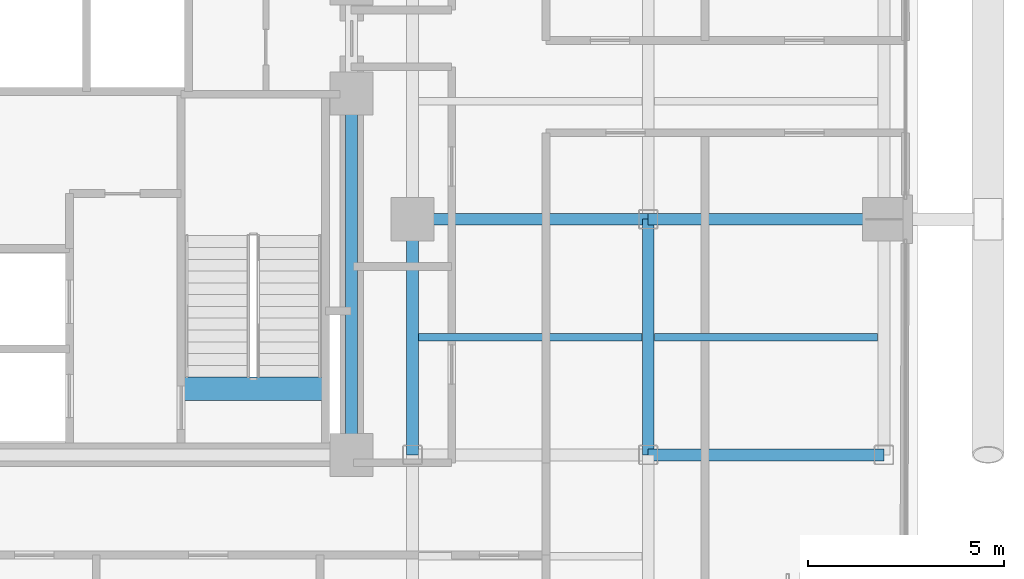
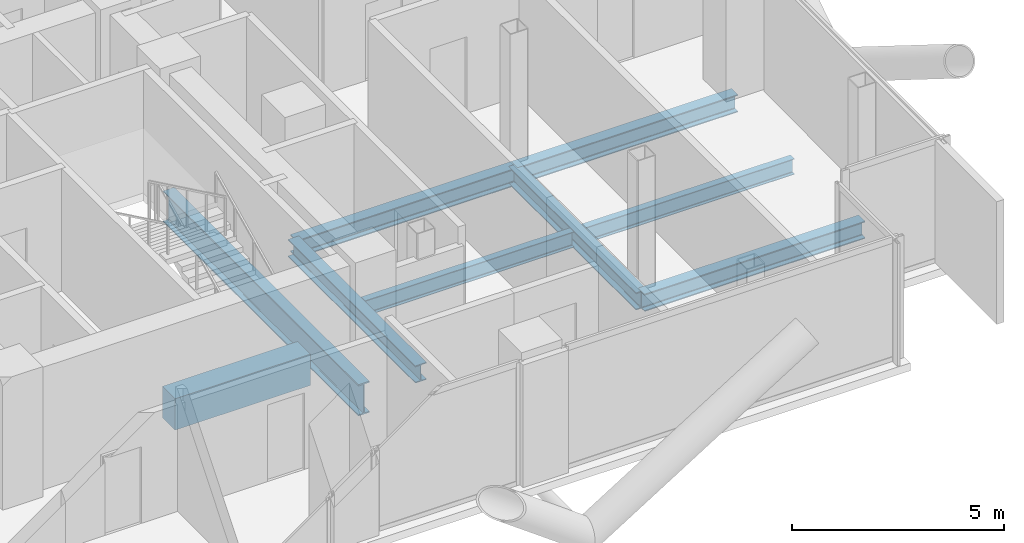
# One storey, part 10 of 24: 9 beams.
"""IFC4 building model written with IfcOpenShell, lengths in metres."""

from ifc_helpers import new_model, si_unit, direction, frame, origin, origin_2d, place, context, subcontext, project, spatial, rectangle, i_section, extrude, material, material_profile, profile_set, type_object, element, save


model = new_model("IFC4")

# Units and contexts
model_context = context("Model", 3, precision=1e-05, world=origin(), true_north=direction((0.0, 1.0)))
body_context = subcontext(model_context, "Body", "Model", "MODEL_VIEW")
ifc_project = project(units=[si_unit("LENGTHUNIT", "METRE"), si_unit("AREAUNIT", "SQUARE_METRE"), si_unit("VOLUMEUNIT", "CUBIC_METRE"), si_unit("PLANEANGLEUNIT", "RADIAN"), si_unit("MASSUNIT", "GRAM", prefix="KILO"), si_unit("THERMODYNAMICTEMPERATUREUNIT", "KELVIN"), si_unit("POWERUNIT", "WATT")], contexts=[model_context])

# Site, building, storey
site_placement = place(None, origin())
site = spatial("IfcSite", under=ifc_project, at=site_placement, CompositionType="ELEMENT")
building_placement = place(site_placement, origin())
building = spatial("IfcBuilding", under=site, at=building_placement, Name="Svarakhadi Broadcast Tower", CompositionType="ELEMENT")
storey_placement = place(building_placement, frame((0.0, 0.0, 115.64990234375)))
storey = spatial("IfcBuildingStorey", under=building, at=storey_placement, Name="L27", CompositionType="ELEMENT", Elevation=115.64990234375)

# Beams
ifc_material_1 = material(Name="Steel S355J2 (IS 2062 E350C)", Category="steel")
ifc_material_profile_1 = material_profile(ifc_material_1, i_section(OverallWidth=0.18994140625, OverallDepth=0.449951171875, WebThickness=0.009521484375, FlangeThickness=0.0146484375, FilletRadius=0.02099609375, at=origin_2d()), Name="NPB 450x190x78")
ifc_profile_set_1 = profile_set([ifc_material_profile_1], Name="Steel S355J2 (IS 2062 E350C)")
beam_type_1 = type_object("IfcBeamType", Name="Beam_NPB450", PredefinedType="BEAM", material=ifc_profile_set_1)
for number, where, z_axis, x_axis, name in (
    (1, (35.31005859375, 9.0, -0.449951171875), (1.0, 0.0, 0.0), (0.0, 1.0, 0.0), "L27 Secondary Composite Beam SB020"),
    (2, (41.31005859375, 9.0, -0.449951171875), (1.0, 0.0, 0.0), (0.0, 1.0, 0.0), "L27 Secondary Composite Beam SB022"),
):
    element("IfcBeam", number, at=place(storey_placement, frame(where, z_axis=z_axis, x_axis=x_axis)), inside=storey, type_object=beam_type_1, Name=name, PredefinedType="BEAM", context=body_context, shape_type="SweptSolid", body=[
        extrude(i_section(OverallWidth=0.18994140625, OverallDepth=0.449951171875, WebThickness=0.009521484375, FlangeThickness=0.0146484375, FilletRadius=0.02099609375, at=origin_2d()), origin(), (0.0, 0.0, 1.0), 5.679931640625),
    ])
ifc_material_2 = material(Name="Concrete C50/60 (IS 456 M60)", Category="concrete")
ifc_material_profile_2 = material_profile(ifc_material_2, rectangle(XDim=0.60009765625, YDim=0.89990234375, at=origin_2d()), Name="RC 600x900")
ifc_profile_set_2 = profile_set([ifc_material_profile_2], Name="Concrete C50/60 (IS 456 M60)")
beam_type_2 = type_object("IfcBeamType", Name="Coupling_RC600", PredefinedType="USERDEFINED", material=ifc_profile_set_2)
beam_1_placement = place(storey_placement, frame((29.260009765625, 7.679931640625, -0.449951171875), z_axis=(1.0, 0.0, 0.0), x_axis=(0.0, 1.0, 0.0)))
element("IfcBeam", 3, at=beam_1_placement, inside=storey, type_object=beam_type_2, Name="L27 Stair ST-02 Landing Throat Trimmer Beam CB-01", ObjectType="GIRDER", PredefinedType="USERDEFINED", context=body_context, shape_type="SweptSolid", body=[
    extrude(rectangle(XDim=0.60009765625, YDim=0.89990234375, at=origin_2d()), origin(), (0.0, 0.0, 1.0), 3.679931640625),
])
ifc_material_profile_3 = material_profile(ifc_material_1, i_section(OverallWidth=0.300048828125, OverallDepth=0.5, WebThickness=0.014404296875, FlangeThickness=0.028076171875, FilletRadius=0.027099609375, at=origin_2d()), Name="WPB 500x300x187")
ifc_profile_set_3 = profile_set([ifc_material_profile_3], Name="Steel S355J2 (IS 2062 E350C)")
beam_type_3 = type_object("IfcBeamType", Name="Girder_WPB500", PredefinedType="USERDEFINED", material=ifc_profile_set_3)
for number, where, z_axis, x_axis, name in (
    (4, (41.14990234375, 6.0, -0.474853515625), (1.0, 0.0, 0.0), (0.0, 1.0, 0.0), "L27 Primary E-W Girder G016"),
    (5, (35.14990234375, 12.0, -0.474853515625), (1.0, 0.0, 0.0), (0.0, 1.0, 0.0), "L27 Primary E-W Girder G021"),
    (6, (41.14990234375, 12.0, -0.474853515625), (1.0, 0.0, 0.0), (0.0, 1.0, 0.0), "L27 Primary E-W Girder G022"),
    (7, (35.14990234375, 6.0, -0.474853515625), (0.0, 1.0, 0.0), (-1.0, 0.0, 0.0), "L27 Primary N-S Girder G068"),
    (8, (41.14990234375, 6.0, -0.474853515625), (0.0, 1.0, 0.0), (-1.0, 0.0, 0.0), "L27 Primary N-S Girder G071"),
):
    element("IfcBeam", number, at=place(storey_placement, frame(where, z_axis=z_axis, x_axis=x_axis)), inside=storey, type_object=beam_type_3, Name=name, ObjectType="GIRDER", PredefinedType="USERDEFINED", context=body_context, shape_type="SweptSolid", body=[
        extrude(i_section(OverallWidth=0.300048828125, OverallDepth=0.5, WebThickness=0.014404296875, FlangeThickness=0.028076171875, FilletRadius=0.027099609375, at=origin_2d()), origin(), (0.0, 0.0, 1.0), 6.0),
    ])
ifc_material_3 = material(Name="Steel S460ML (IS 2062 E450BR)", Category="steel")
ifc_material_profile_4 = material_profile(ifc_material_3, i_section(OverallWidth=0.300048828125, OverallDepth=0.89990234375, WebThickness=0.0185546875, FlangeThickness=0.034912109375, FilletRadius=0.030029296875, at=origin_2d()), Name="WPB 900x300x291")
ifc_profile_set_4 = profile_set([ifc_material_profile_4], Name="Steel S460ML (IS 2062 E450BR)")
beam_type_4 = type_object("IfcBeamType", Name="Girder_WPB900", PredefinedType="USERDEFINED", material=ifc_profile_set_4)
beam_2_placement = place(storey_placement, frame((33.60009765625, 6.0, -0.6748046875), z_axis=(0.0, 1.0, 0.0), x_axis=(-1.0, 0.0, 0.0)))
element("IfcBeam", 9, at=beam_2_placement, inside=storey, type_object=beam_type_4, Name="L27 Primary N-S Girder G065", ObjectType="GIRDER", PredefinedType="USERDEFINED", context=body_context, shape_type="SweptSolid", body=[
    extrude(i_section(OverallWidth=0.300048828125, OverallDepth=0.89990234375, WebThickness=0.0185546875, FlangeThickness=0.034912109375, FilletRadius=0.030029296875, at=origin_2d()), origin(), (0.0, 0.0, 1.0), 9.199951171875),
])

save(model, "model.ifc")
